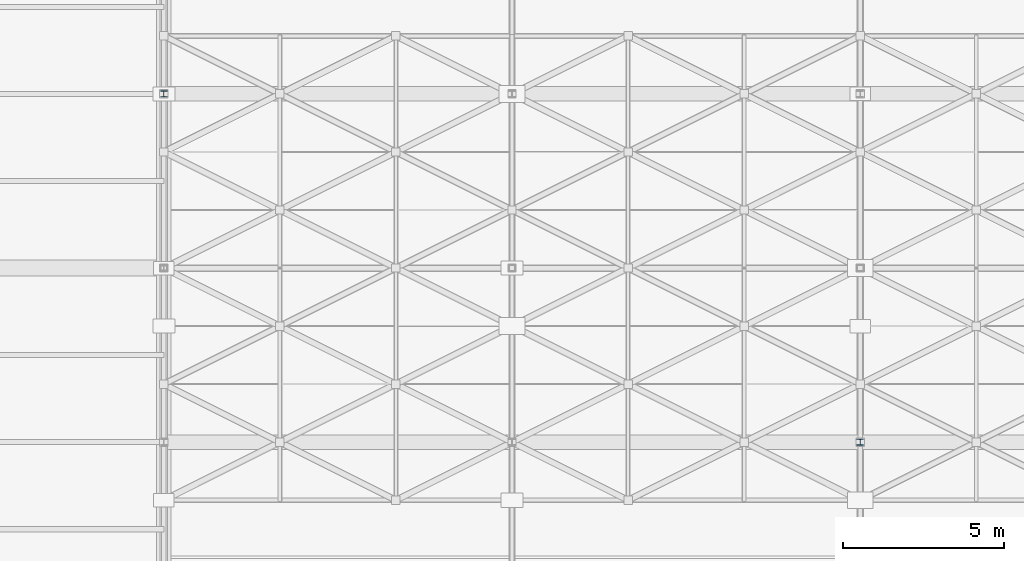
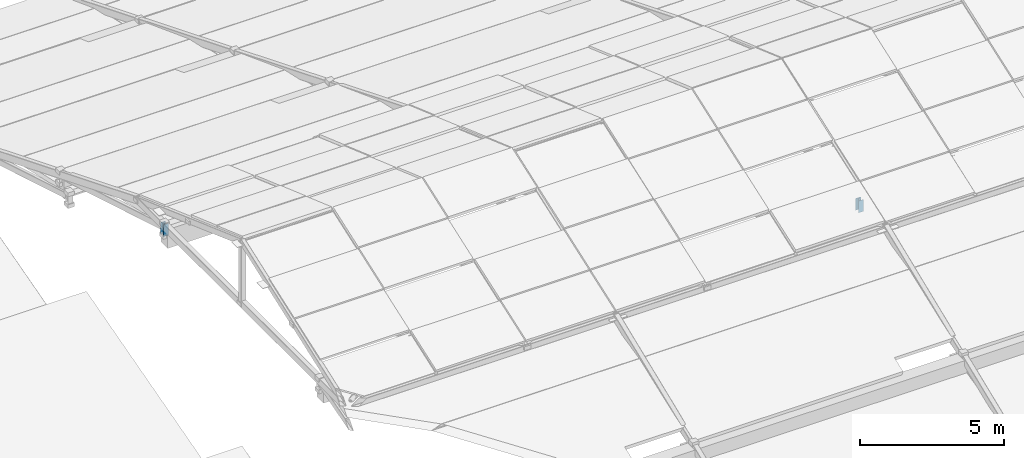
# One storey, part 75 of 112: 2 members.
"""IFC4 building model written with IfcOpenShell, lengths in metres."""

from ifc_helpers import new_model, si_unit, direction, frame, origin, origin_2d, place, context, subcontext, project, spatial, i_section, extrude, material, material_profile, profile_set, type_object, element, save


model = new_model("IFC4")

# Units and contexts
model_context = context("Model", 3, precision=1e-05, world=origin(), true_north=direction((0.0, 1.0)))
body_context = subcontext(model_context, "Body", "Model", "MODEL_VIEW")
ifc_project = project(units=[si_unit("LENGTHUNIT", "METRE"), si_unit("AREAUNIT", "SQUARE_METRE"), si_unit("VOLUMEUNIT", "CUBIC_METRE"), si_unit("PLANEANGLEUNIT", "RADIAN"), si_unit("MASSUNIT", "GRAM", prefix="KILO")], contexts=[model_context])

# Site, building, storey
site_placement = place(None, origin())
site = spatial("IfcSite", under=ifc_project, at=site_placement, CompositionType="ELEMENT")
building_placement = place(site_placement, origin())
building = spatial("IfcBuilding", under=site, at=building_placement, Name="Zwinboog Wholesale Market", CompositionType="ELEMENT")
storey_placement = place(building_placement, frame((0.0, 0.0, 19.080078125)))
storey = spatial("IfcBuildingStorey", under=building, at=storey_placement, Name="Roof", CompositionType="ELEMENT", Elevation=19.080078125)

# Members
ifc_material = material(Name="Steel S355", Category="steel")
ifc_material_profile = material_profile(ifc_material, i_section(OverallWidth=0.199951171875, OverallDepth=0.18994140625, WebThickness=0.006591796875, FlangeThickness=0.010009765625, FilletRadius=0.01806640625, at=origin_2d()), Name="HEA 200")
ifc_profile_set = profile_set([ifc_material_profile], Name="Steel S355")
member_type = type_object("IfcMemberType", Name="MT-05", PredefinedType="BRACE", material=ifc_profile_set)
for number, where, z_axis, x_axis, name in (
    (1, (64.800048828125, 81.0, 0.219970703125), (0.0, 0.0, 1.0), (1.0, 0.0, 0.0), "DB-02 (MEM-Roof-0025)"),
    (2, (86.39990234375, 70.199951171875, 0.219970703125), (0.0, 0.0, 1.0), (1.0, 0.0, 0.0), "DB-02 (MEM-Roof-0072)"),
):
    element("IfcMember", number, at=place(storey_placement, frame(where, z_axis=z_axis, x_axis=x_axis)), inside=storey, type_object=member_type, Name=name, PredefinedType="BRACE", context=body_context, shape_type="SweptSolid", body=[
        extrude(i_section(OverallWidth=0.199951171875, OverallDepth=0.18994140625, WebThickness=0.006591796875, FlangeThickness=0.010009765625, FilletRadius=0.01806640625, at=origin_2d()), origin(), (0.0, 0.0, 1.0), 0.5),
    ])

save(model, "model.ifc")
